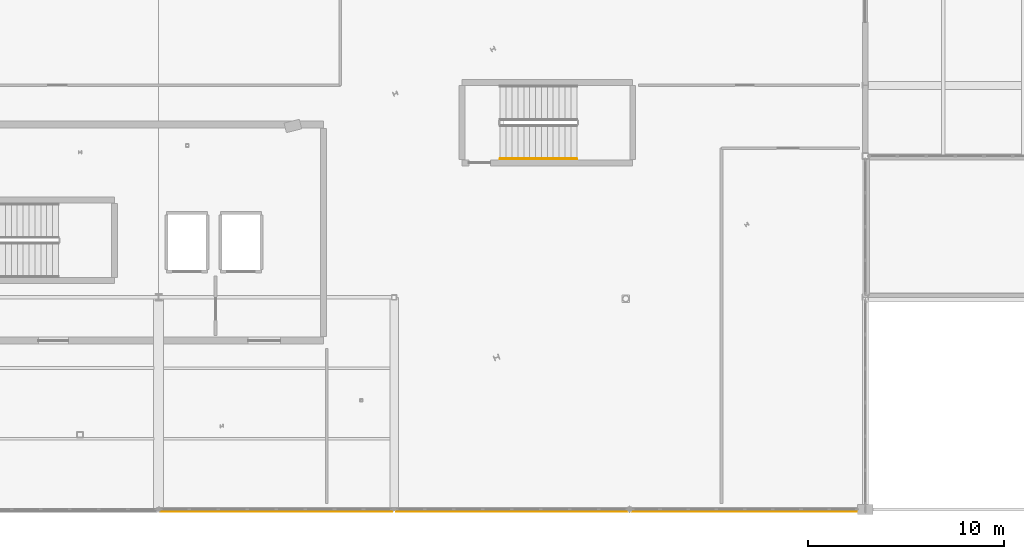
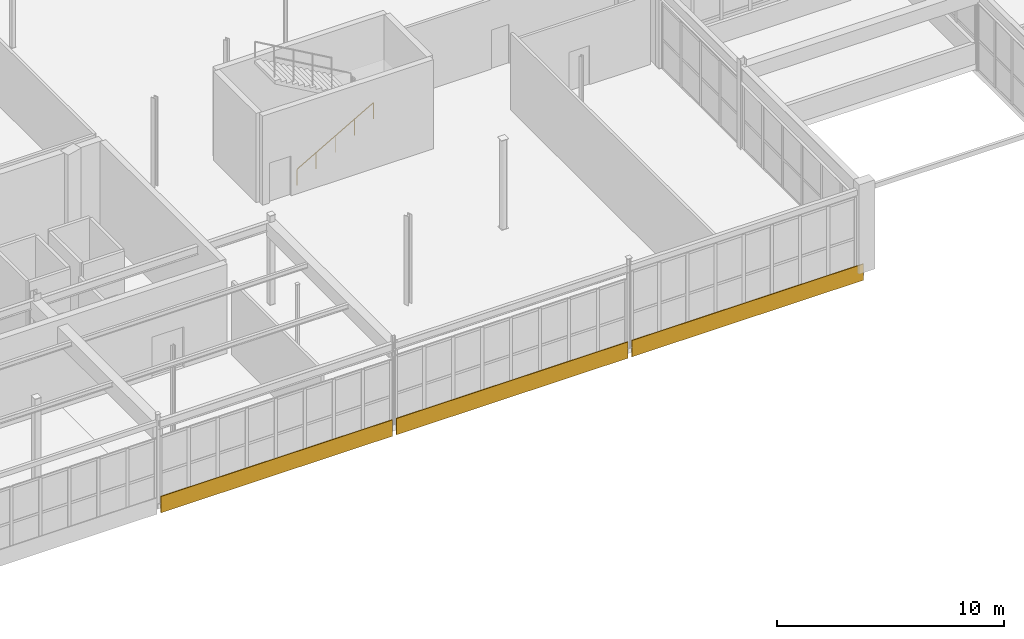
# One storey, part 204 of 226: 3 coverings, 1 railing.
"""IFC4 building model written with IfcOpenShell, lengths in metres."""

from ifc_helpers import new_model, si_unit, direction, frame, origin, origin_2d, place, context, subcontext, project, spatial, rectangle, circle, extrude, material, layer, layer_set, type_object, element, save


model = new_model("IFC4")

# Units and contexts
model_context = context("Model", 3, precision=1e-05, world=origin(), true_north=direction((0.0, 1.0)))
body_context = subcontext(model_context, "Body", "Model", "MODEL_VIEW")
ifc_project = project(units=[si_unit("LENGTHUNIT", "METRE"), si_unit("AREAUNIT", "SQUARE_METRE"), si_unit("VOLUMEUNIT", "CUBIC_METRE"), si_unit("PLANEANGLEUNIT", "RADIAN"), si_unit("MASSUNIT", "GRAM", prefix="KILO")], contexts=[model_context])

# Site, building, storey
site_placement = place(None, origin())
site = spatial("IfcSite", under=ifc_project, at=site_placement, CompositionType="ELEMENT")
building_placement = place(site_placement, origin())
building = spatial("IfcBuilding", under=site, at=building_placement, Name="Tarnwether General Hospital", CompositionType="ELEMENT")
storey_placement = place(building_placement, frame((0.0, 0.0, 4.800048828125)))
storey = spatial("IfcBuildingStorey", under=building, at=storey_placement, Name="L01", CompositionType="ELEMENT", Elevation=4.800048828125)

# Coverings
ifc_material_1 = material(Name="Folded zinc-titanium cladding")
ifc_layer = layer(ifc_material_1, 0.0400390625)
ifc_layer_set = layer_set([ifc_layer], Name="Folded zinc-titanium cladding")
covering_type = type_object("IfcCoveringType", Name="CV-CLD-ZNC", PredefinedType="CLADDING", material=ifc_layer_set)
for number, where, z_axis, x_axis, name in (
    (1, (102.0, -0.090087890625, -0.52001953125), (0.0, 0.0, 1.0), (1.0, 0.0, 0.0), "Diagnostic Base Faceted Zinc Spandrel 067"),
    (2, (114.0, -0.090087890625, -0.52001953125), (0.0, 0.0, 1.0), (1.0, 0.0, 0.0), "Diagnostic Base Faceted Zinc Spandrel 068"),
    (3, (126.0, -0.090087890625, -0.52001953125), (0.0, 0.0, 1.0), (1.0, 0.0, 0.0), "Diagnostic Base Faceted Zinc Spandrel 069"),
):
    element("IfcCovering", number, at=place(storey_placement, frame(where, z_axis=z_axis, x_axis=x_axis)), inside=storey, type_object=covering_type, Name=name, PredefinedType="CLADDING", context=body_context, shape_type="SweptSolid", body=[
        extrude(rectangle(XDim=11.800048828125, YDim=0.0400390625, at=origin_2d()), origin(), (0.0, 0.0, 1.0), 0.8798828125),
    ])

# Railing
ifc_material_2 = material(Name="Anodised aluminium", Category="aluminium")
railing_type = type_object("IfcRailingType", Name="RL-HND-INT", PredefinedType="HANDRAIL", material=ifc_material_2)
railing_placement = place(storey_placement, frame((113.39990234375, 17.85009765625, 0.17138671875)))
element("IfcRailing", 4, at=railing_placement, inside=storey, type_object=railing_type, Name="L01 ST-10 stair handrail 1", PredefinedType="HANDRAIL", context=body_context, shape_type="SweptSolid", body=[
    extrude(circle(Radius=0.02392578125, at=origin_2d()), frame((0.0, 0.0, 0.8759765625), z_axis=(0.868256520506, 0.0, 0.496115525457), x_axis=(0.0, 1.0, 0.0)), (0.0, 0.0, 1.0), 4.491943359375),
    extrude(circle(Radius=0.02099609375, at=origin_2d()), origin(), (0.0, 0.0, 1.0), 0.851806640625),
    extrude(circle(Radius=0.02099609375, at=origin_2d()), frame((0.97509765625, 0.0, 0.55712890625)), (0.0, 0.0, 1.0), 0.851806640625),
    extrude(circle(Radius=0.02099609375, at=origin_2d()), frame((1.9501953125, 0.0, 1.1142578125)), (0.0, 0.0, 1.0), 0.851806640625),
    extrude(circle(Radius=0.02099609375, at=origin_2d()), frame((2.925048828125, 0.0, 1.67138671875)), (0.0, 0.0, 1.0), 0.851806640625),
    extrude(circle(Radius=0.02099609375, at=origin_2d()), frame((3.900146484375, 0.0, 2.228515625)), (0.0, 0.0, 1.0), 0.851806640625),
])

save(model, "model.ifc")
